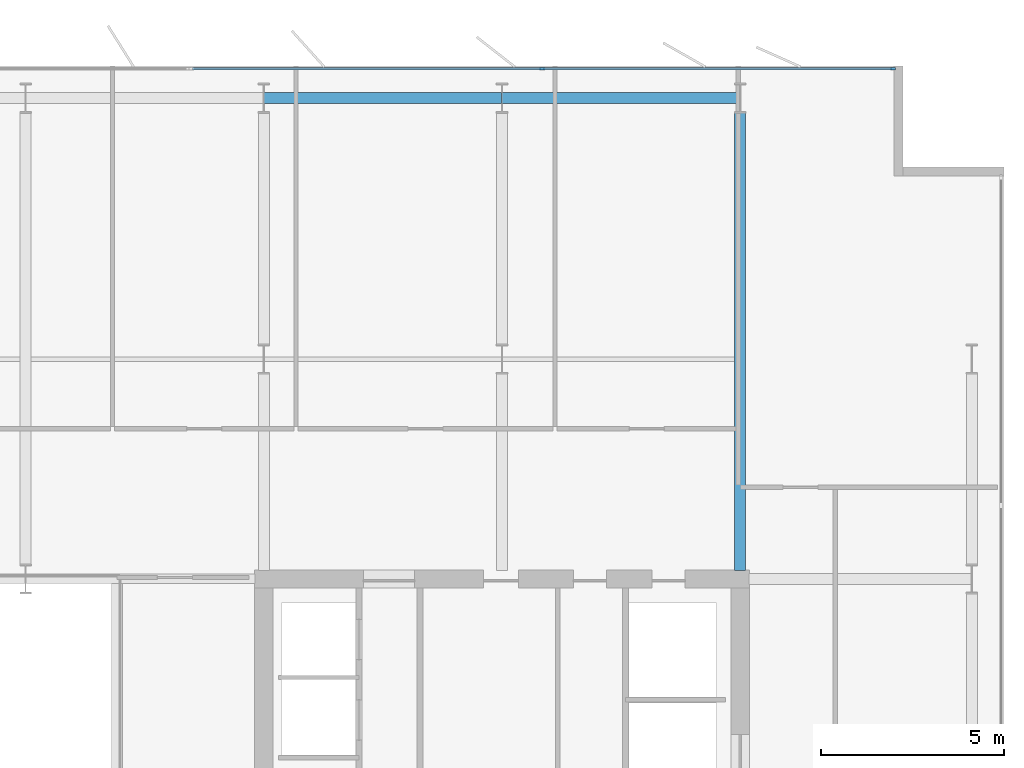
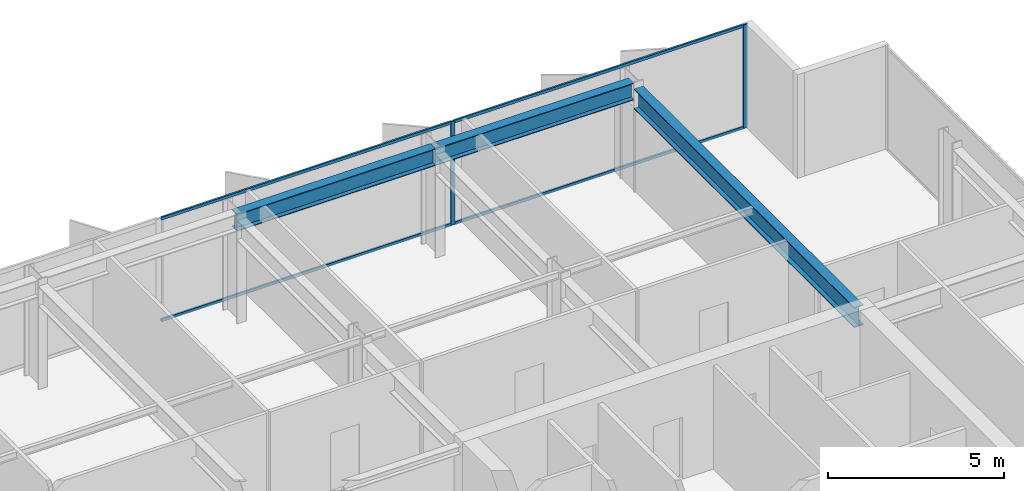
# One storey, part 13 of 23: 6 members, 3 beams, 1 element without a shape of its own.
"""IFC4 building model written with IfcOpenShell, lengths in metres."""

import ifcopenshell
import ifcopenshell.guid

model = None  # the IFC model being written
_history = None  # IfcOwnerHistory: only IFC2X3 demands one
_inside = {}  # id of a spatial element -> (the spatial element, [elements in it])
_under = {}  # id of a project, library or spatial element -> (it, [spatial elements below it])
_declared = {}  # id of a project -> (the project, [libraries it declares])
_typed = {}  # id of a type object -> (the type object, [elements of that type])
_made_of = {}  # id of a material, layer set ... -> (it, [elements and type objects made of it])


def new_model(schema):
    """Start an empty IFC model of exactly this schema.

    Asked for "IFC4X3", IfcOpenShell would pick the latest addendum, in which some entities
    have other attributes; the version numbers below select the first issue.
    IFC2X3 requires an IfcOwnerHistory on every rooted entity: one is made here for all.
    """
    global model, _history
    if schema == "IFC4X3":
        model = ifcopenshell.file(schema_version=(4, 3, 0, 0))
    else:
        model = ifcopenshell.file(schema=schema)
    _inside.clear()
    _under.clear()
    _declared.clear()
    _typed.clear()
    _made_of.clear()
    _history = None
    if model.schema == "IFC2X3":
        org = make("IfcOrganization", Name="unknown")
        user = make(
            "IfcPersonAndOrganization",
            ThePerson=make("IfcPerson", FamilyName="unknown"),
            TheOrganization=org,
        )
        app = make(
            "IfcApplication",
            ApplicationDeveloper=org,
            Version="unknown",
            ApplicationFullName="unknown",
            ApplicationIdentifier="unknown",
        )
        _history = make(
            "IfcOwnerHistory",
            OwningUser=user,
            OwningApplication=app,
            ChangeAction="ADDED",
            CreationDate=0,
        )
    return model


def make(cls, **values):
    """One entity of the class cls with the attributes given. An attribute that is None is left unset."""
    return model.create_entity(
        cls, **{name: value for name, value in values.items() if value is not None}
    )


def rooted(cls, **values):
    """An entity with a GlobalId (a new one), such as an element, a storey or a relation."""
    return make(cls, GlobalId=ifcopenshell.guid.new(), OwnerHistory=_history, **values)


def si_unit(unit_type, name, prefix=None):
    """IfcSIUnit, for example si_unit("LENGTHUNIT", "METRE", prefix="MILLI")."""
    return make("IfcSIUnit", UnitType=unit_type, Prefix=prefix, Name=name)


def assignment(units):
    """IfcUnitAssignment: the units of a project."""
    return None if units is None else make("IfcUnitAssignment", Units=units)


def point(xyz):
    """IfcCartesianPoint."""
    return None if xyz is None else make("IfcCartesianPoint", Coordinates=xyz)


def direction(xyz):
    """IfcDirection."""
    return None if xyz is None else make("IfcDirection", DirectionRatios=xyz)


def frame(location, z_axis=None, x_axis=None):
    """IfcAxis2Placement3D, a coordinate frame: its origin and axes. An axis left out is left unset."""
    return make(
        "IfcAxis2Placement3D",
        Location=point(location),
        Axis=direction(z_axis),
        RefDirection=direction(x_axis),
    )


def frame_2d(location, x_axis=None):
    """IfcAxis2Placement2D, a coordinate frame in the plane: its origin and x axis."""
    return make(
        "IfcAxis2Placement2D", Location=point(location), RefDirection=direction(x_axis)
    )


def origin():
    """The frame at (0, 0, 0) with its axes left unset."""
    return frame((0.0, 0.0, 0.0))


def origin_2d():
    """The frame at (0, 0) in the plane with its x axis left unset."""
    return frame_2d((0.0, 0.0))


def place(relative_to, where):
    """IfcLocalPlacement: puts the frame where relative to a parent placement (None: the world)."""
    return make(
        "IfcLocalPlacement", PlacementRelTo=relative_to, RelativePlacement=where
    )


def context(
    kind, dimensions, precision=None, world=None, true_north=None, identifier=None
):
    """IfcGeometricRepresentationContext, for example the 3D "Model" context."""
    return make(
        "IfcGeometricRepresentationContext",
        ContextIdentifier=identifier,
        ContextType=kind,
        CoordinateSpaceDimension=dimensions,
        Precision=precision,
        WorldCoordinateSystem=world,
        TrueNorth=true_north,
    )


def subcontext(parent, identifier, kind, view, scale=None):
    """IfcGeometricRepresentationSubContext, for example "Body" below "Model"."""
    return make(
        "IfcGeometricRepresentationSubContext",
        ContextIdentifier=identifier,
        ContextType=kind,
        ParentContext=parent,
        TargetScale=scale,
        TargetView=view,
    )


def project(units=None, contexts=None):
    """IfcProject with its units and contexts."""
    return rooted(
        "IfcProject",
        Name="project",
        RepresentationContexts=contexts,
        UnitsInContext=assignment(units),
    )


def spatial(cls, under=None, at=None, **own):
    """A site, building, storey or space (cls), placed at a placement, below another one or the project."""
    s = rooted(cls, ObjectPlacement=at, **own)
    if under is not None:
        _under.setdefault(under.id(), (under, []))[1].append(s)
    return s


def profile(cls, at=None, kind="AREA", **sizes):
    """A parametric profile (cls). Its sizes go by their IFC names, for example OverallWidth=200.0."""
    return make(cls, ProfileType=kind, Position=at, **sizes)


def rectangle(**sizes):
    """IfcRectangleProfileDef."""
    return profile("IfcRectangleProfileDef", **sizes)


def i_section(**sizes):
    """IfcIShapeProfileDef."""
    return profile("IfcIShapeProfileDef", **sizes)


def extrude(swept, where, along, depth):
    """IfcExtrudedAreaSolid: the profile swept, set in the frame where, extruded along a direction by depth."""
    return make(
        "IfcExtrudedAreaSolid",
        SweptArea=swept,
        Position=where,
        ExtrudedDirection=direction(along),
        Depth=depth,
    )


def shape(context_of_items, identifier, shape_type, items):
    """IfcShapeRepresentation: the items that make up one representation, for example the "Body"."""
    return make(
        "IfcShapeRepresentation",
        ContextOfItems=context_of_items,
        RepresentationIdentifier=identifier,
        RepresentationType=shape_type,
        Items=items,
    )


def material(Name=None, Category=None):
    """IfcMaterial."""
    return make("IfcMaterial", Name=Name, Category=Category)


def layer(
    of_material, thickness, ventilated=None, Name=None, Category=None, Priority=None
):
    """IfcMaterialLayer: one layer of a wall or slab, of a material (None: an air gap)."""
    return make(
        "IfcMaterialLayer",
        Material=of_material,
        LayerThickness=thickness,
        IsVentilated=ventilated,
        Name=Name,
        Category=Category,
        Priority=Priority,
    )


def layer_set(layers, Name=None):
    """IfcMaterialLayerSet."""
    return make("IfcMaterialLayerSet", MaterialLayers=layers, LayerSetName=Name)


def material_profile(
    of_material, cross_section, Name=None, Category=None, Priority=None
):
    """IfcMaterialProfile: a cross section and its material."""
    return make(
        "IfcMaterialProfile",
        Name=Name,
        Material=of_material,
        Profile=cross_section,
        Priority=Priority,
        Category=Category,
    )


def profile_set(profiles, Name=None, composite=None):
    """IfcMaterialProfileSet."""
    return make(
        "IfcMaterialProfileSet",
        Name=Name,
        MaterialProfiles=profiles,
        CompositeProfile=composite,
    )


def made_of(thing, what):
    """Note that an element or type object is made of a material, layer set ...; save() writes the relation."""
    if what is not None:
        _made_of.setdefault(what.id(), (what, []))[1].append(thing)
    return thing


def type_object(cls, material=None, **own):
    """A type object (cls), such as IfcWallType, which elements share."""
    return made_of(rooted(cls, **own), material)


def element(
    cls,
    number,
    at=None,
    inside=None,
    cuts=None,
    type_object=None,
    material=None,
    context=None,
    identifier="Body",
    shape_type=None,
    held_by="IfcProductDefinitionShape",
    body=None,
    shapes=None,
    **own,
):
    """One element of the class cls, such as IfcWall. Its Tag is "e" and its number.

    at: its placement. inside: the storey or other place that contains it. cuts: it is an
    opening in that element (IfcRelVoidsElement). A single representation is given by context,
    identifier, shape_type and body (its items); several are given by shapes. held_by: the class
    of the entity that holds the representations. save() writes the other relations.
    """
    e = rooted(cls, Tag="e%d" % number, ObjectPlacement=at, **own)
    if body is not None:
        shapes = [shape(context, identifier, shape_type, body)]
    if shapes is not None:
        e.Representation = make(held_by, Representations=shapes)
    if inside is not None:
        _inside.setdefault(inside.id(), (inside, []))[1].append(e)
    if cuts is not None:
        rooted(
            "IfcRelVoidsElement", RelatingBuildingElement=cuts, RelatedOpeningElement=e
        )
    if type_object is not None:
        _typed.setdefault(type_object.id(), (type_object, []))[1].append(e)
    return made_of(e, material)


def aggregate(whole, parts):
    """IfcRelAggregates: a whole, such as a stair, and the parts it consists of."""
    return rooted("IfcRelAggregates", RelatingObject=whole, RelatedObjects=parts)


def save(model, path):
    """Write the relations noted so far, then the file.

    IfcRelAggregates (storeys below a building ...), IfcRelContainedInSpatialStructure (elements
    in a storey), IfcRelDefinesByType, IfcRelAssociatesMaterial and IfcRelDeclares: one each for
    every whole, place, type object, material and project.
    """
    for whole, parts in _under.values():
        aggregate(whole, parts)
    for where, things in _inside.values():
        rooted(
            "IfcRelContainedInSpatialStructure",
            RelatedElements=things,
            RelatingStructure=where,
        )
    for kind, things in _typed.values():
        rooted("IfcRelDefinesByType", RelatedObjects=things, RelatingType=kind)
    for what, things in _made_of.values():
        rooted("IfcRelAssociatesMaterial", RelatedObjects=things, RelatingMaterial=what)
    for by, libraries in _declared.values():
        rooted("IfcRelDeclares", RelatingContext=by, RelatedDefinitions=libraries)
    model.write(path)


model = new_model("IFC4")

# Units and contexts
model_context = context("Model", 3, precision=1e-05, world=origin(), true_north=direction((0.0, 1.0)))
body_context = subcontext(model_context, "Body", "Model", "MODEL_VIEW")
ifc_project = project(units=[si_unit("LENGTHUNIT", "METRE"), si_unit("AREAUNIT", "SQUARE_METRE"), si_unit("VOLUMEUNIT", "CUBIC_METRE"), si_unit("PLANEANGLEUNIT", "RADIAN"), si_unit("MASSUNIT", "GRAM", prefix="KILO")], contexts=[model_context])

# Site, building, storey
site_placement = place(None, origin())
site = spatial("IfcSite", under=ifc_project, at=site_placement, CompositionType="ELEMENT")
building_placement = place(site_placement, origin())
building = spatial("IfcBuilding", under=site, at=building_placement, Name="Putna Gate Headquarters", CompositionType="ELEMENT")
storey_placement = place(building_placement, frame((0.0, 0.0, 225.199951171875)))
storey = spatial("IfcBuildingStorey", under=building, at=storey_placement, Name="L56", CompositionType="ELEMENT", Elevation=225.199951171875)

# Beams
ifc_material_1 = material(Name="Steel S355J2", Category="steel")
ifc_material_profile_1 = material_profile(ifc_material_1, i_section(OverallWidth=0.300048828125, OverallDepth=0.699951171875, WebThickness=0.01708984375, FlangeThickness=0.031982421875, at=origin_2d()), Name="Steel S355J2")
ifc_profile_set_1 = profile_set([ifc_material_profile_1], Name="Steel S355J2")
beam_type_1 = type_object("IfcBeamType", Name="BM-GIRD-B-HEB700", PredefinedType="USERDEFINED", material=ifc_profile_set_1)
beam_placement = place(storey_placement, frame((65.0, 33.235107421875, 3.22998046875), z_axis=(0.0, 1.0, 0.0), x_axis=(-1.0, 0.0, 0.0)))
element("IfcBeam", 1, at=beam_placement, inside=storey, type_object=beam_type_1, Name="L56 North Primary Girder X65", ObjectType="GIRDER", PredefinedType="USERDEFINED", context=body_context, shape_type="SweptSolid", body=[
    extrude(i_section(OverallWidth=0.300048828125, OverallDepth=0.699951171875, WebThickness=0.01708984375, FlangeThickness=0.031982421875, at=origin_2d()), origin(), (0.0, 0.0, 1.0), 12.489990234375),
])
ifc_material_profile_2 = material_profile(ifc_material_1, i_section(OverallWidth=0.300048828125, OverallDepth=0.590087890625, WebThickness=0.012939453125, FlangeThickness=0.02490234375, at=origin_2d()), Name="Steel S355J2")
ifc_profile_set_2 = profile_set([ifc_material_profile_2], Name="Steel S355J2")
beam_type_2 = type_object("IfcBeamType", Name="BM-SPAN-Z4-HEA600", PredefinedType="SPANDREL", material=ifc_profile_set_2)
for number, where, z_axis, x_axis, name in (
    (2, (52.006103515625, 46.1201171875, 3.28515625), (1.0, 0.0, 0.0), (0.0, 1.0, 0.0), "L56 N Perimeter Spandrel 7"),
    (3, (58.506103515625, 46.1201171875, 3.28515625), (1.0, 0.0, 0.0), (0.0, 1.0, 0.0), "L56 N Perimeter Spandrel 8"),
):
    element("IfcBeam", number, at=place(storey_placement, frame(where, z_axis=z_axis, x_axis=x_axis)), inside=storey, type_object=beam_type_2, Name=name, PredefinedType="SPANDREL", context=body_context, shape_type="SweptSolid", body=[
        extrude(i_section(OverallWidth=0.300048828125, OverallDepth=0.590087890625, WebThickness=0.012939453125, FlangeThickness=0.02490234375, at=origin_2d()), origin(), (0.0, 0.0, 1.0), 6.48779296875),
    ])

# Curtain wall, members
ifc_material_2 = material(Name="Anodised bronze aluminium curtain wall", Category="aluminium")
ifc_layer = layer(ifc_material_2, 0.139892578125)
ifc_layer_set = layer_set([ifc_layer], Name="Anodised bronze aluminium curtain wall")
curtain_wall_type = type_object("IfcCurtainWallType", Name="CW-SYS-Z4", PredefinedType="USERDEFINED", material=ifc_layer_set)
curtain_wall_placement = place(storey_placement, origin())
curtain_wall = element("IfcCurtainWall", 4, at=curtain_wall_placement, inside=storey, type_object=curtain_wall_type, Name="L56 North East Curtain Wall", ObjectType="STICK CURTAIN WALL", PredefinedType="USERDEFINED")
ifc_material_3 = material(Name="Anodised bronze aluminium EN AW-6060", Category="aluminium")
ifc_material_profile_3 = material_profile(ifc_material_3, rectangle(XDim=0.06005859375, YDim=0.139892578125, at=origin_2d()), Name="Anodised bronze aluminium EN AW-6060")
ifc_profile_set_3 = profile_set([ifc_material_profile_3], Name="Anodised bronze aluminium EN AW-6060")
member_type_1 = type_object("IfcMemberType", Name="MULL-CWM-4", PredefinedType="MULLION", material=ifc_profile_set_3)
member_1_placement = place(storey_placement, frame((59.60009765625, 46.919921875, 0.0), z_axis=(0.0, 0.0, 1.0), x_axis=(0.0, 1.0, 0.0)))
member_1 = element("IfcMember", 5, at=member_1_placement, type_object=member_type_1, Name="CWS-4 mullion 2", PredefinedType="MULLION", context=body_context, shape_type="SweptSolid", body=[
    extrude(rectangle(XDim=0.06005859375, YDim=0.139892578125, at=origin_2d()), origin(), (0.0, 0.0, 1.0), 3.580078125),
])
member_2_placement = place(storey_placement, frame((69.169921875, 46.919921875, 0.0), z_axis=(0.0, 0.0, 1.0), x_axis=(0.0, 1.0, 0.0)))
member_2 = element("IfcMember", 6, at=member_2_placement, type_object=member_type_1, Name="CWS-4 mullion 3", PredefinedType="MULLION", context=body_context, shape_type="SweptSolid", body=[
    extrude(rectangle(XDim=0.06005859375, YDim=0.139892578125, at=origin_2d()), origin(), (0.0, 0.0, 1.0), 3.580078125),
])
ifc_material_profile_4 = material_profile(ifc_material_3, rectangle(XDim=0.06005859375, YDim=0.10009765625, at=origin_2d()), Name="Anodised bronze aluminium EN AW-6060")
ifc_profile_set_4 = profile_set([ifc_material_profile_4], Name="Anodised bronze aluminium EN AW-6060")
member_type_2 = type_object("IfcMemberType", Name="TRAN-CWT-4", PredefinedType="USERDEFINED", material=ifc_profile_set_4)
member_3_placement = place(storey_placement, frame((50.06005859375, 46.919921875, 0.030029296875), z_axis=(1.0, 0.0, 0.0), x_axis=(0.0, 1.0, 0.0)))
member_3 = element("IfcMember", 7, at=member_3_placement, type_object=member_type_2, Name="CWS-4 transom 1.1", ObjectType="TRANSOM", PredefinedType="USERDEFINED", context=body_context, shape_type="SweptSolid", body=[
    extrude(rectangle(XDim=0.06005859375, YDim=0.10009765625, at=origin_2d()), origin(), (0.0, 0.0, 1.0), 9.510009765625),
])
member_4_placement = place(storey_placement, frame((50.06005859375, 46.919921875, 3.550048828125), z_axis=(1.0, 0.0, 0.0), x_axis=(0.0, 1.0, 0.0)))
member_4 = element("IfcMember", 8, at=member_4_placement, type_object=member_type_2, Name="CWS-4 transom 1.2", ObjectType="TRANSOM", PredefinedType="USERDEFINED", context=body_context, shape_type="SweptSolid", body=[
    extrude(rectangle(XDim=0.06005859375, YDim=0.10009765625, at=origin_2d()), origin(), (0.0, 0.0, 1.0), 9.510009765625),
])
member_5_placement = place(storey_placement, frame((59.6298828125, 46.919921875, 0.030029296875), z_axis=(1.0, 0.0, 0.0), x_axis=(0.0, 1.0, 0.0)))
member_5 = element("IfcMember", 9, at=member_5_placement, type_object=member_type_2, Name="CWS-4 transom 2.1", ObjectType="TRANSOM", PredefinedType="USERDEFINED", context=body_context, shape_type="SweptSolid", body=[
    extrude(rectangle(XDim=0.06005859375, YDim=0.10009765625, at=origin_2d()), origin(), (0.0, 0.0, 1.0), 9.510009765625),
])
member_6_placement = place(storey_placement, frame((59.6298828125, 46.919921875, 3.550048828125), z_axis=(1.0, 0.0, 0.0), x_axis=(0.0, 1.0, 0.0)))
member_6 = element("IfcMember", 10, at=member_6_placement, type_object=member_type_2, Name="CWS-4 transom 2.2", ObjectType="TRANSOM", PredefinedType="USERDEFINED", context=body_context, shape_type="SweptSolid", body=[
    extrude(rectangle(XDim=0.06005859375, YDim=0.10009765625, at=origin_2d()), origin(), (0.0, 0.0, 1.0), 9.510009765625),
])
aggregate(curtain_wall, [member_1, member_2, member_3, member_4, member_5, member_6])

save(model, "model.ifc")
